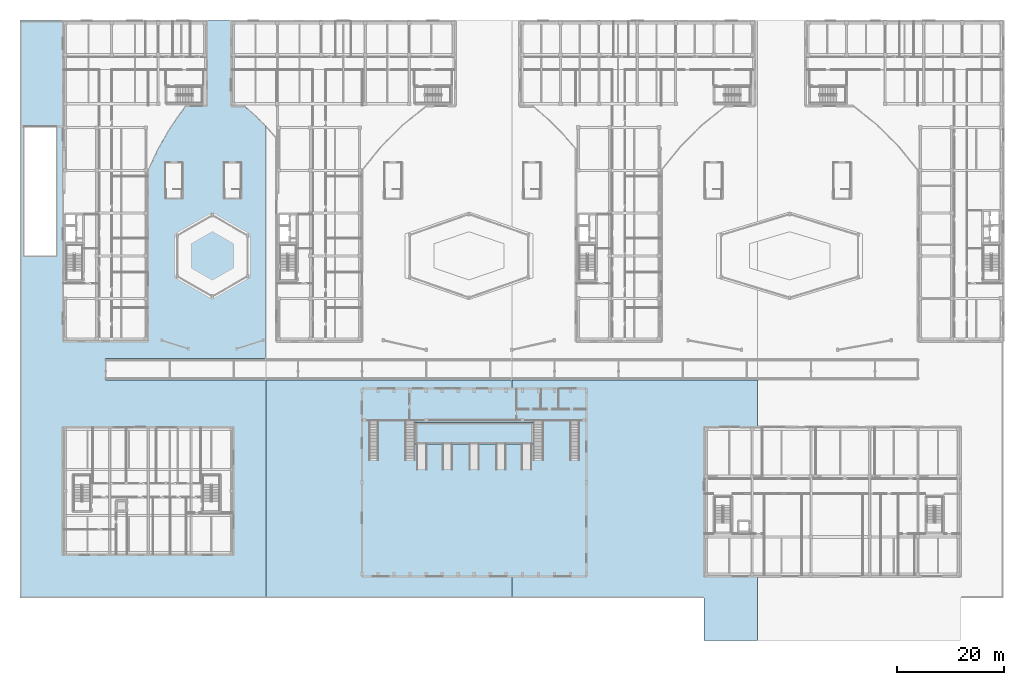
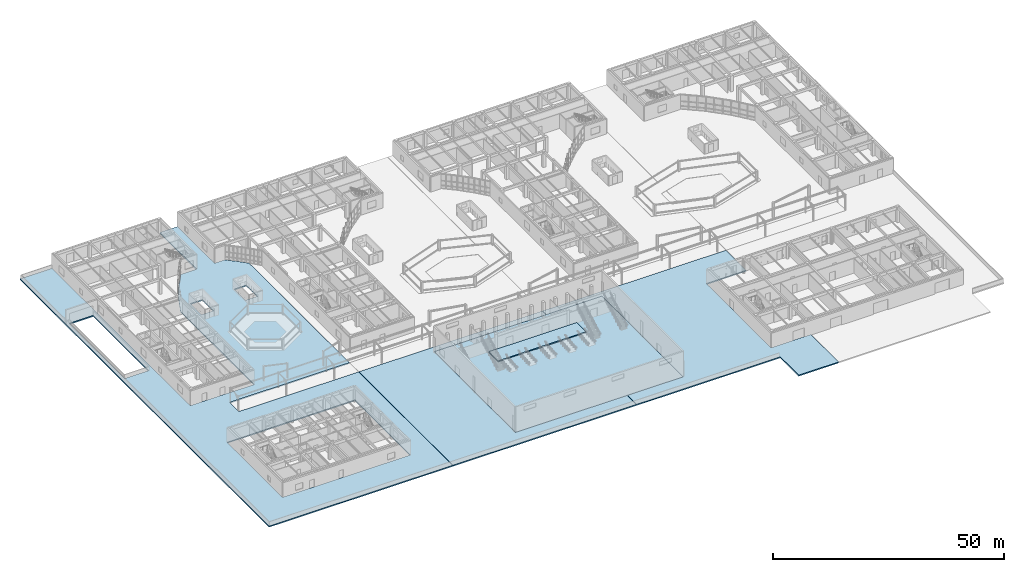
# One storey, part 60 of 114: 5 slabs.
"""IFC4 building model written with IfcOpenShell, lengths in metres."""

from ifc_helpers import new_model, si_unit, direction, frame, origin, place, context, subcontext, project, spatial, polyline, outline, extrude, material, layer, layer_set, type_object, element, save


model = new_model("IFC4")

# Units and contexts
model_context = context("Model", 3, precision=1e-05, world=origin(), true_north=direction((0.0, 1.0)))
body_context = subcontext(model_context, "Body", "Model", "MODEL_VIEW")
ifc_project = project(units=[si_unit("LENGTHUNIT", "METRE"), si_unit("AREAUNIT", "SQUARE_METRE"), si_unit("VOLUMEUNIT", "CUBIC_METRE"), si_unit("PLANEANGLEUNIT", "RADIAN"), si_unit("MASSUNIT", "GRAM", prefix="KILO")], contexts=[model_context])

# Site, building, storey
site_placement = place(None, origin())
site = spatial("IfcSite", under=ifc_project, at=site_placement, CompositionType="ELEMENT")
building_placement = place(site_placement, origin())
building = spatial("IfcBuilding", under=site, at=building_placement, Name="Keldmere Railside Commons", CompositionType="ELEMENT")
storey_placement = place(building_placement, origin())
storey = spatial("IfcBuildingStorey", under=building, at=storey_placement, Name="L00", CompositionType="ELEMENT", Elevation=0.0)

# Slabs
ifc_material_1 = material(Name="Concrete H-35 (C35/45)", Category="concrete")
ifc_layer_1 = layer(ifc_material_1, 0.320068359375, Name="Ground Podium Transfer Slab 320")
ifc_layer_set_1 = layer_set([ifc_layer_1], Name="Concrete H-35 (C35/45)")
slab_type_1 = type_object("IfcSlabType", Name="Ground Podium Transfer Slab 320", PredefinedType="FLOOR", material=ifc_layer_set_1)
slab_1_placement = place(storey_placement, frame((0.0, 0.0, -0.320068359375)))
element("IfcSlab", 1, at=slab_1_placement, inside=storey, type_object=slab_type_1, Name="FS-1 HALL-L00-075", PredefinedType="FLOOR", context=body_context, shape_type="SweptSolid", body=[
    extrude(outline(polyline([(106.0, 12.0), (106.0, 47.199951171875), (64.0, 47.199951171875), (64.0, 12.0), (106.0, 12.0)])), origin(), (0.0, 0.0, 1.0), 0.320068359375),
])
ifc_material_2 = material(Name="Concrete H-30 (C30/37)", Category="concrete")
ifc_layer_2 = layer(ifc_material_2, 0.280029296875, Name="Hall Stage & Gallery Slab 280")
ifc_layer_set_2 = layer_set([ifc_layer_2], Name="Concrete H-30 (C30/37)")
slab_type_2 = type_object("IfcSlabType", Name="Hall Stage & Gallery Slab 280", PredefinedType="FLOOR", material=ifc_layer_set_2)
slab_2_placement = place(storey_placement, frame((0.0, 0.0, 0.1201171875)))
element("IfcSlab", 2, at=slab_2_placement, inside=storey, type_object=slab_type_2, Name="FS-4 Community Hall Stage Platform", PredefinedType="FLOOR", context=body_context, shape_type="SweptSolid", body=[
    extrude(outline(polyline([(74.0, 36.800048828125), (96.0, 36.800048828125), (96.0, 40.800048828125), (74.0, 40.800048828125), (74.0, 36.800048828125)])), origin(), (0.0, 0.0, 1.0), 0.27978515625),
])
ifc_layer_3 = layer(ifc_material_1, 0.300048828125, Name="Landscaped Court Deck Slab 300")
ifc_layer_set_3 = layer_set([ifc_layer_3], Name="Concrete H-35 (C35/45)")
slab_type_3 = type_object("IfcSlabType", Name="Landscaped Court Deck Slab 300", PredefinedType="FLOOR", material=ifc_layer_set_3)
slab_3_placement = place(storey_placement, frame((0.0, 0.0, -0.300048828125)))
element("IfcSlab", 3, at=slab_3_placement, inside=storey, type_object=slab_type_3, Name="PD-1 CRTDECK-L00-095", PredefinedType="FLOOR", context=body_context, shape_type="SweptSolid", body=[
    extrude(outline(polyline([(0.0, 8.0), (45.969970703125, 8.0), (45.969970703125, 48.800048828125), (16.0, 48.800048828125), (16.0, 52.800048828125), (45.969970703125, 52.800048828125), (45.969970703125, 96.248046875), (44.10791015625, 98.110107421875), (42.0, 100.0), (39.5, 100.0), (39.5, 116.0), (35.0, 116.0), (35.0, 100.0), (31.0, 100.0), (28.31201171875, 96.214111328125), (25.971923828125, 92.202880859375), (24.0, 88.0), (24.0, 56.0), (8.0, 56.0), (8.0, 116.0), (0.0, 116.0), (0.0, 8.0)]), holes=[polyline([(8.0, 40.0), (40.0, 40.0), (40.0, 16.0), (8.0, 16.0), (8.0, 40.0)]), polyline([(0.800048828125, 96.0), (6.800048828125, 96.0), (6.800048828125, 72.0), (0.800048828125, 72.0), (0.800048828125, 96.0)]), polyline([(30.27490234375, 84.52490234375), (27.27490234375, 84.52490234375), (27.27490234375, 89.375), (30.27490234375, 89.375), (30.27490234375, 84.52490234375)]), polyline([(41.27490234375, 84.52490234375), (38.27490234375, 84.52490234375), (38.27490234375, 89.375), (41.27490234375, 89.375), (41.27490234375, 84.52490234375)])]), origin(), (0.0, 0.0, 1.0), 0.300048828125),
])
slab_4_placement = place(storey_placement, frame((0.0, 0.0, -0.300048828125)))
element("IfcSlab", 4, at=slab_4_placement, inside=storey, type_object=slab_type_3, Name="PD-1 CRTDECK-L00-096", PredefinedType="FLOOR", context=body_context, shape_type="SweptSolid", body=[
    extrude(outline(polyline([(46.030029296875, 8.0), (91.969970703125, 8.0), (91.969970703125, 12.0), (64.0, 12.0), (64.0, 47.199951171875), (91.969970703125, 47.199951171875), (91.969970703125, 48.800048828125), (46.030029296875, 48.800048828125), (46.030029296875, 8.0)])), origin(), (0.0, 0.0, 1.0), 0.300048828125),
])
slab_5_placement = place(storey_placement, frame((0.0, 0.0, -0.300048828125)))
element("IfcSlab", 5, at=slab_5_placement, inside=storey, type_object=slab_type_3, Name="PD-1 CRTDECK-L00-098", PredefinedType="FLOOR", context=body_context, shape_type="SweptSolid", body=[
    extrude(outline(polyline([(128.0, 0.0), (137.969970703125, 0.0), (137.969970703125, 12.0), (128.0, 12.0), (128.0, 40.0), (137.969970703125, 40.0), (137.969970703125, 48.800048828125), (92.030029296875, 48.800048828125), (92.030029296875, 47.199951171875), (106.0, 47.199951171875), (106.0, 12.0), (92.030029296875, 12.0), (92.030029296875, 8.0), (128.0, 8.0), (128.0, 0.0)])), origin(), (0.0, 0.0, 1.0), 0.300048828125),
])

save(model, "model.ifc")
